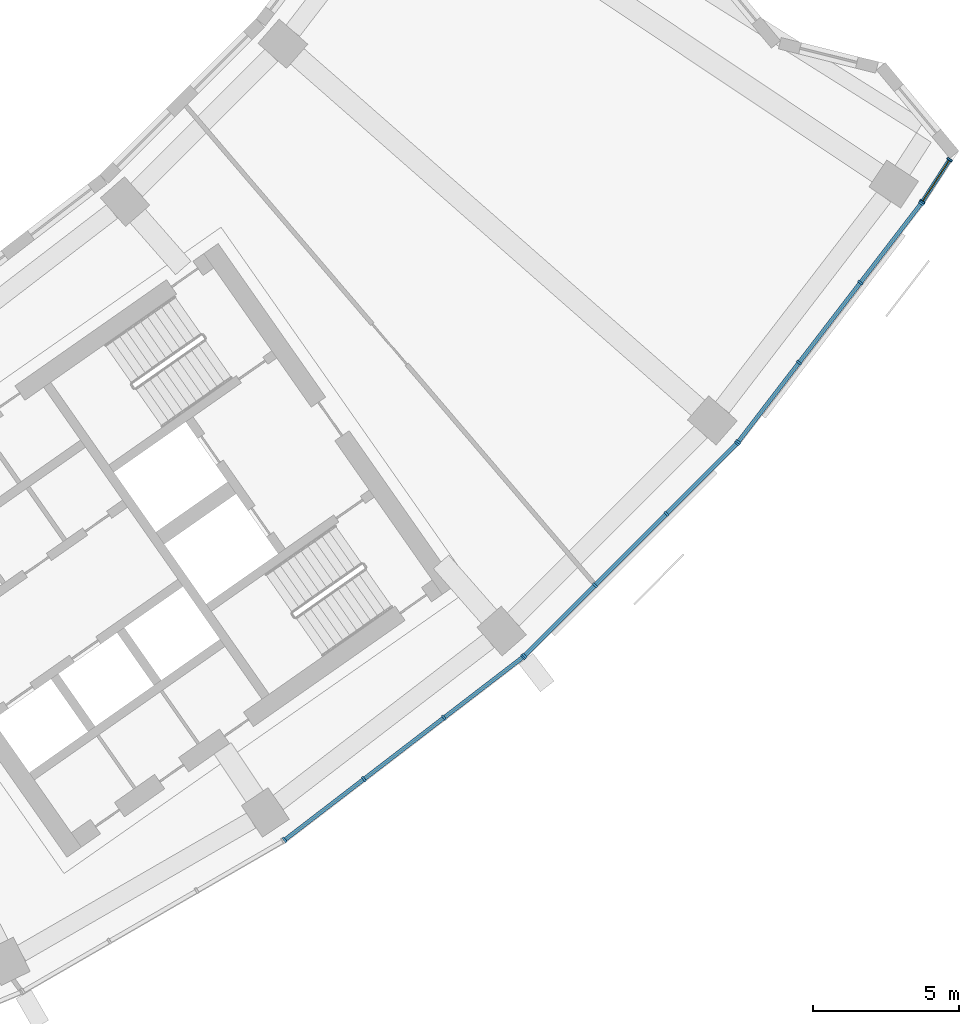
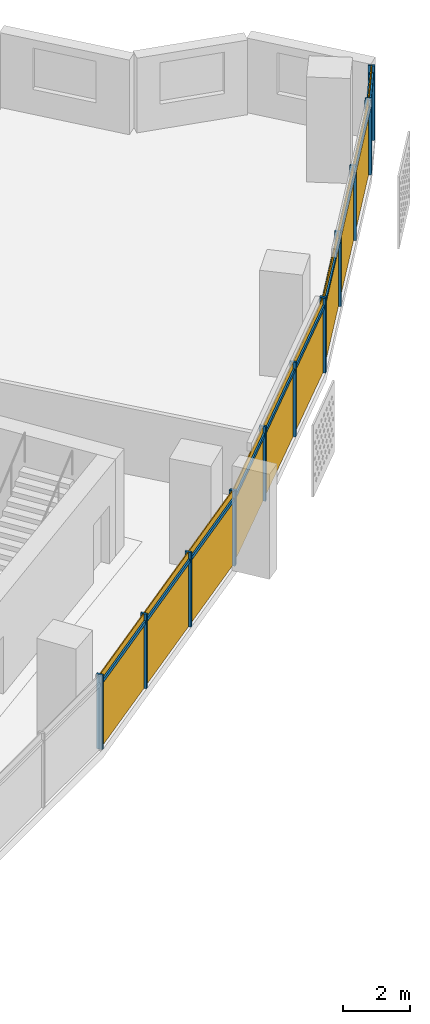
# One storey, part 20 of 26: 24 members, 4 curtain walls.
"""IFC4 building model written with IfcOpenShell, lengths in metres."""

from ifc_helpers import new_model, si_unit, direction, frame, origin, origin_2d, place, context, subcontext, project, spatial, rectangle, extrude, material, material_profile, profile_set, type_object, element, aggregate, save


model = new_model("IFC4")

# Units and contexts
model_context = context("Model", 3, precision=1e-05, world=origin(), true_north=direction((0.0, 1.0)))
body_context = subcontext(model_context, "Body", "Model", "MODEL_VIEW")
ifc_project = project(units=[si_unit("LENGTHUNIT", "METRE"), si_unit("AREAUNIT", "SQUARE_METRE"), si_unit("VOLUMEUNIT", "CUBIC_METRE"), si_unit("PLANEANGLEUNIT", "RADIAN"), si_unit("MASSUNIT", "GRAM", prefix="KILO")], contexts=[model_context])

# Member
ifc_material = material(Name="Aluminium 6063-T6 anodised", Category="aluminium")
ifc_material_profile_1 = material_profile(ifc_material, rectangle(XDim=0.199951171875, YDim=0.070068359375, at=origin_2d()))
ifc_profile_set_1 = profile_set([ifc_material_profile_1], Name="Aluminium 6063-T6 anodised")
member_type_1 = type_object("IfcMemberType", Name="Mullion 70 x 200 aluminium", PredefinedType="MULLION", material=ifc_profile_set_1)
site_placement = place(None, origin())
building_placement = place(site_placement, origin())
storey_placement = place(building_placement, frame((0.0, 0.0, 160.699951171875)))
member_1_placement = place(storey_placement, frame((43.85693359375, -65.58544921875, 0.0), z_axis=(0.0, 0.0, 1.0), x_axis=(-0.608761429009, 0.793353340291, 0.0)))
member_1 = element("IfcMember", 1, at=member_1_placement, type_object=member_type_1, Name="e-cw1-L37-out12/M00", PredefinedType="MULLION", context=body_context, shape_type="SweptSolid", body=[
    extrude(rectangle(XDim=0.199951171875, YDim=0.070068359375, at=origin_2d()), origin(), (0.0, 0.0, 1.0), 2.699951171875),
])

member_2_placement = place(storey_placement, frame((46.56201171875, -63.509765625, 0.0), z_axis=(0.0, 0.0, 1.0), x_axis=(-0.608761429009, 0.793353340291, 0.0)))
member_2 = element("IfcMember", 2, at=member_2_placement, type_object=member_type_1, Name="e-cw1-L37-out12/M01", PredefinedType="MULLION", context=body_context, shape_type="SweptSolid", body=[
    extrude(rectangle(XDim=0.199951171875, YDim=0.070068359375, at=origin_2d()), origin(), (0.0, 0.0, 1.0), 2.699951171875),
])

member_3_placement = place(storey_placement, frame((49.294677734375, -61.412841796875, 0.0), z_axis=(0.0, 0.0, 1.0), x_axis=(-0.608761429009, 0.793353340291, 0.0)))
member_3 = element("IfcMember", 3, at=member_3_placement, type_object=member_type_1, Name="e-cw1-L37-out12/M02", PredefinedType="MULLION", context=body_context, shape_type="SweptSolid", body=[
    extrude(rectangle(XDim=0.199951171875, YDim=0.070068359375, at=origin_2d()), origin(), (0.0, 0.0, 1.0), 2.699951171875),
])

member_4_placement = place(storey_placement, frame((51.999755859375, -59.33740234375, 0.0), z_axis=(0.0, 0.0, 1.0), x_axis=(-0.608761429009, 0.793353340291, 0.0)))
member_4 = element("IfcMember", 4, at=member_4_placement, type_object=member_type_1, Name="e-cw1-L37-out12/M03", PredefinedType="MULLION", context=body_context, shape_type="SweptSolid", body=[
    extrude(rectangle(XDim=0.199951171875, YDim=0.070068359375, at=origin_2d()), origin(), (0.0, 0.0, 1.0), 2.699951171875),
])

member_5_placement = place(storey_placement, frame((52.042236328125, -59.2998046875, 0.0), z_axis=(0.0, 0.0, 1.0), x_axis=(-0.707106781187, 0.707106781187, 0.0)))
member_5 = element("IfcMember", 5, at=member_5_placement, type_object=member_type_1, Name="e-cw1-L37-out13/M00", PredefinedType="MULLION", context=body_context, shape_type="SweptSolid", body=[
    extrude(rectangle(XDim=0.199951171875, YDim=0.070068359375, at=origin_2d()), origin(), (0.0, 0.0, 1.0), 2.699951171875),
])

member_6_placement = place(storey_placement, frame((54.453369140625, -56.888916015625, 0.0), z_axis=(0.0, 0.0, 1.0), x_axis=(-0.707106781187, 0.707106781187, 0.0)))
member_6 = element("IfcMember", 6, at=member_6_placement, type_object=member_type_1, Name="e-cw1-L37-out13/M01", PredefinedType="MULLION", context=body_context, shape_type="SweptSolid", body=[
    extrude(rectangle(XDim=0.199951171875, YDim=0.070068359375, at=origin_2d()), origin(), (0.0, 0.0, 1.0), 2.699951171875),
])

member_7_placement = place(storey_placement, frame((56.888916015625, -54.453369140625, 0.0), z_axis=(0.0, 0.0, 1.0), x_axis=(-0.707106781187, 0.707106781187, 0.0)))
member_7 = element("IfcMember", 7, at=member_7_placement, type_object=member_type_1, Name="e-cw1-L37-out13/M02", PredefinedType="MULLION", context=body_context, shape_type="SweptSolid", body=[
    extrude(rectangle(XDim=0.199951171875, YDim=0.070068359375, at=origin_2d()), origin(), (0.0, 0.0, 1.0), 2.699951171875),
])

member_8_placement = place(storey_placement, frame((59.2998046875, -52.042236328125, 0.0), z_axis=(0.0, 0.0, 1.0), x_axis=(-0.707106781187, 0.707106781187, 0.0)))
member_8 = element("IfcMember", 8, at=member_8_placement, type_object=member_type_1, Name="e-cw1-L37-out13/M03", PredefinedType="MULLION", context=body_context, shape_type="SweptSolid", body=[
    extrude(rectangle(XDim=0.199951171875, YDim=0.070068359375, at=origin_2d()), origin(), (0.0, 0.0, 1.0), 2.699951171875),
])

member_9_placement = place(storey_placement, frame((59.33740234375, -51.999755859375, 0.0), z_axis=(0.0, 0.0, 1.0), x_axis=(-0.793353340291, 0.608761429009, 0.0)))
member_9 = element("IfcMember", 9, at=member_9_placement, type_object=member_type_1, Name="e-cw1-L37-out14/M00", PredefinedType="MULLION", context=body_context, shape_type="SweptSolid", body=[
    extrude(rectangle(XDim=0.199951171875, YDim=0.070068359375, at=origin_2d()), origin(), (0.0, 0.0, 1.0), 2.699951171875),
])

member_10_placement = place(storey_placement, frame((61.412841796875, -49.294677734375, 0.0), z_axis=(0.0, 0.0, 1.0), x_axis=(-0.793353340291, 0.608761429009, 0.0)))
member_10 = element("IfcMember", 10, at=member_10_placement, type_object=member_type_1, Name="e-cw1-L37-out14/M01", PredefinedType="MULLION", context=body_context, shape_type="SweptSolid", body=[
    extrude(rectangle(XDim=0.199951171875, YDim=0.070068359375, at=origin_2d()), origin(), (0.0, 0.0, 1.0), 2.699951171875),
])

member_11_placement = place(storey_placement, frame((63.509765625, -46.56201171875, 0.0), z_axis=(0.0, 0.0, 1.0), x_axis=(-0.793353340291, 0.608761429009, 0.0)))
member_11 = element("IfcMember", 11, at=member_11_placement, type_object=member_type_1, Name="e-cw1-L37-out14/M02", PredefinedType="MULLION", context=body_context, shape_type="SweptSolid", body=[
    extrude(rectangle(XDim=0.199951171875, YDim=0.070068359375, at=origin_2d()), origin(), (0.0, 0.0, 1.0), 2.699951171875),
])

member_12_placement = place(storey_placement, frame((65.58544921875, -43.85693359375, 0.0), z_axis=(0.0, 0.0, 1.0), x_axis=(-0.793353340291, 0.608761429009, 0.0)))
member_12 = element("IfcMember", 12, at=member_12_placement, type_object=member_type_1, Name="e-cw1-L37-out14/M03", PredefinedType="MULLION", context=body_context, shape_type="SweptSolid", body=[
    extrude(rectangle(XDim=0.199951171875, YDim=0.070068359375, at=origin_2d()), origin(), (0.0, 0.0, 1.0), 2.699951171875),
])

member_13_placement = place(storey_placement, frame((65.621337890625, -43.806396484375, 0.0), z_axis=(0.0, 0.0, 1.0), x_axis=(-0.839046620581, 0.544059526607, 0.0)))
member_13 = element("IfcMember", 13, at=member_13_placement, type_object=member_type_1, Name="e-cw1-L37-out15/M00", PredefinedType="MULLION", context=body_context, shape_type="SweptSolid", body=[
    extrude(rectangle(XDim=0.199951171875, YDim=0.070068359375, at=origin_2d()), origin(), (0.0, 0.0, 1.0), 2.699951171875),
])

member_14_placement = place(storey_placement, frame((66.558349609375, -42.361083984375, 0.0), z_axis=(0.0, 0.0, 1.0), x_axis=(-0.839046620581, 0.544059526607, 0.0)))
member_14 = element("IfcMember", 14, at=member_14_placement, type_object=member_type_1, Name="e-cw1-L37-out15/M01", PredefinedType="MULLION", context=body_context, shape_type="SweptSolid", body=[
    extrude(rectangle(XDim=0.199951171875, YDim=0.070068359375, at=origin_2d()), origin(), (0.0, 0.0, 1.0), 2.699951171875),
])

ifc_material_profile_2 = material_profile(ifc_material, rectangle(XDim=0.139892578125, YDim=0.1201171875, at=origin_2d()))
ifc_profile_set_2 = profile_set([ifc_material_profile_2], Name="Aluminium 6063-T6 anodised")
member_type_2 = type_object("IfcMemberType", Name="Transom 120 x 140 aluminium", PredefinedType="USERDEFINED", material=ifc_profile_set_2)
member_15_placement = place(storey_placement, frame((43.884765625, -65.564208984375, 2.400146484375), z_axis=(0.793354486861, 0.608759934767, 0.0), x_axis=(-0.608759934767, 0.793354486861, 0.0)))
member_15 = element("IfcMember", 15, at=member_15_placement, type_object=member_type_2, Name="e-cw1-L37-out12/T00", ObjectType="TRANSOM", PredefinedType="USERDEFINED", context=body_context, shape_type="SweptSolid", body=[
    extrude(rectangle(XDim=0.139892578125, YDim=0.1201171875, at=origin_2d()), origin(), (0.0, 0.0, 1.0), 3.339599609375),
])

member_16_placement = place(storey_placement, frame((46.589599609375, -63.488525390625, 2.400146484375), z_axis=(0.793371081522, 0.608738307489, 0.0), x_axis=(-0.608738307489, 0.793371081522, 0.0)))
member_16 = element("IfcMember", 16, at=member_16_placement, type_object=member_type_2, Name="e-cw1-L37-out12/T01", ObjectType="TRANSOM", PredefinedType="USERDEFINED", context=body_context, shape_type="SweptSolid", body=[
    extrude(rectangle(XDim=0.139892578125, YDim=0.1201171875, at=origin_2d()), origin(), (0.0, 0.0, 1.0), 3.37451171875),
])

member_17_placement = place(storey_placement, frame((49.322509765625, -61.3916015625, 2.400146484375), z_axis=(0.793354486861, 0.608759934767, 0.0), x_axis=(-0.608759934767, 0.793354486861, 0.0)))
member_17 = element("IfcMember", 17, at=member_17_placement, type_object=member_type_2, Name="e-cw1-L37-out12/T02", ObjectType="TRANSOM", PredefinedType="USERDEFINED", context=body_context, shape_type="SweptSolid", body=[
    extrude(rectangle(XDim=0.139892578125, YDim=0.1201171875, at=origin_2d()), origin(), (0.0, 0.0, 1.0), 3.339599609375),
])

member_18_placement = place(storey_placement, frame((52.067138671875, -59.275146484375, 2.400146484375), z_axis=(0.707106781187, 0.707106781187, 0.0), x_axis=(-0.707106781187, 0.707106781187, 0.0)))
member_18 = element("IfcMember", 18, at=member_18_placement, type_object=member_type_2, Name="e-cw1-L37-out13/T00", ObjectType="TRANSOM", PredefinedType="USERDEFINED", context=body_context, shape_type="SweptSolid", body=[
    extrude(rectangle(XDim=0.139892578125, YDim=0.1201171875, at=origin_2d()), origin(), (0.0, 0.0, 1.0), 3.33935546875),
])

member_19_placement = place(storey_placement, frame((54.47802734375, -56.8642578125, 2.400146484375), z_axis=(0.707106781187, 0.707106781187, 0.0), x_axis=(-0.707106781187, 0.707106781187, 0.0)))
member_19 = element("IfcMember", 19, at=member_19_placement, type_object=member_type_2, Name="e-cw1-L37-out13/T01", ObjectType="TRANSOM", PredefinedType="USERDEFINED", context=body_context, shape_type="SweptSolid", body=[
    extrude(rectangle(XDim=0.139892578125, YDim=0.1201171875, at=origin_2d()), origin(), (0.0, 0.0, 1.0), 3.374755859375),
])

member_20_placement = place(storey_placement, frame((56.913818359375, -54.428466796875, 2.400146484375), z_axis=(0.707106781187, 0.707106781187, 0.0), x_axis=(-0.707106781187, 0.707106781187, 0.0)))
member_20 = element("IfcMember", 20, at=member_20_placement, type_object=member_type_2, Name="e-cw1-L37-out13/T02", ObjectType="TRANSOM", PredefinedType="USERDEFINED", context=body_context, shape_type="SweptSolid", body=[
    extrude(rectangle(XDim=0.139892578125, YDim=0.1201171875, at=origin_2d()), origin(), (0.0, 0.0, 1.0), 3.33935546875),
])

member_21_placement = place(storey_placement, frame((59.358642578125, -51.971923828125, 2.400146484375), z_axis=(0.608759934767, 0.793354486861, 0.0), x_axis=(-0.793354486861, 0.608759934767, 0.0)))
member_21 = element("IfcMember", 21, at=member_21_placement, type_object=member_type_2, Name="e-cw1-L37-out14/T00", ObjectType="TRANSOM", PredefinedType="USERDEFINED", context=body_context, shape_type="SweptSolid", body=[
    extrude(rectangle(XDim=0.139892578125, YDim=0.1201171875, at=origin_2d()), origin(), (0.0, 0.0, 1.0), 3.339599609375),
])

member_22_placement = place(storey_placement, frame((61.434326171875, -49.266845703125, 2.400146484375), z_axis=(0.608738307489, 0.793371081522, 0.0), x_axis=(-0.793371081522, 0.608738307489, 0.0)))
member_22 = element("IfcMember", 22, at=member_22_placement, type_object=member_type_2, Name="e-cw1-L37-out14/T01", ObjectType="TRANSOM", PredefinedType="USERDEFINED", context=body_context, shape_type="SweptSolid", body=[
    extrude(rectangle(XDim=0.139892578125, YDim=0.1201171875, at=origin_2d()), origin(), (0.0, 0.0, 1.0), 3.37451171875),
])

member_23_placement = place(storey_placement, frame((63.53125, -46.5341796875, 2.400146484375), z_axis=(0.608759934767, 0.793354486861, 0.0), x_axis=(-0.793354486861, 0.608759934767, 0.0)))
member_23 = element("IfcMember", 23, at=member_23_placement, type_object=member_type_2, Name="e-cw1-L37-out14/T02", ObjectType="TRANSOM", PredefinedType="USERDEFINED", context=body_context, shape_type="SweptSolid", body=[
    extrude(rectangle(XDim=0.139892578125, YDim=0.1201171875, at=origin_2d()), origin(), (0.0, 0.0, 1.0), 3.339599609375),
])

member_24_placement = place(storey_placement, frame((65.640380859375, -43.77685546875, 2.400146484375), z_axis=(0.544084281786, 0.839030568164, 0.0), x_axis=(-0.839030568164, 0.544084281786, 0.0)))
member_24 = element("IfcMember", 24, at=member_24_placement, type_object=member_type_2, Name="e-cw1-L37-out15/T00", ObjectType="TRANSOM", PredefinedType="USERDEFINED", context=body_context, shape_type="SweptSolid", body=[
    extrude(rectangle(XDim=0.139892578125, YDim=0.1201171875, at=origin_2d()), origin(), (0.0, 0.0, 1.0), 1.652099609375),
])

# Site, building, storey
site = spatial("IfcSite", under=ifc_project, at=site_placement, CompositionType="ELEMENT")
building = spatial("IfcBuilding", under=site, at=building_placement, Name="Qamariyya Broadcast Tower", CompositionType="ELEMENT")
storey = spatial("IfcBuildingStorey", under=building, at=storey_placement, Name="L37", CompositionType="ELEMENT", Elevation=160.699951171875)

# Curtain wall
curtain_wall_type = type_object("IfcCurtainWallType", Name="Unitised curtain wall, anodised aluminium", PredefinedType="NOTDEFINED", material=ifc_material)
curtain_wall_1_placement = place(storey_placement, origin())
curtain_wall_1 = element("IfcCurtainWall", 25, at=curtain_wall_1_placement, inside=storey, type_object=curtain_wall_type, Name="e-cw1-L37-out12", PredefinedType="NOTDEFINED", context=body_context, shape_type="SweptSolid", body=[
    extrude(rectangle(XDim=3.339599609375, YDim=0.031982421875, at=origin_2d()), frame((45.20947265625, -64.547607421875, 0.0), x_axis=(0.793351517557, 0.608763804434, 0.0)), (0.0, 0.0, 1.0), 2.340087890625),
    extrude(rectangle(XDim=3.339599609375, YDim=0.031982421875, at=origin_2d()), frame((45.20947265625, -64.547607421875, 2.4599609375), x_axis=(0.793351517557, 0.608763804434, 0.0)), (0.0, 0.0, 1.0), 0.239990234375),
    extrude(rectangle(XDim=3.37451171875, YDim=0.031982421875, at=origin_2d()), frame((47.92822265625, -62.46142578125, 0.0), x_axis=(0.793351517557, 0.608763804434, 0.0)), (0.0, 0.0, 1.0), 2.340087890625),
    extrude(rectangle(XDim=3.37451171875, YDim=0.031982421875, at=origin_2d()), frame((47.92822265625, -62.46142578125, 2.4599609375), x_axis=(0.793351517557, 0.608763804434, 0.0)), (0.0, 0.0, 1.0), 0.239990234375),
    extrude(rectangle(XDim=3.339599609375, YDim=0.031982421875, at=origin_2d()), frame((50.64697265625, -60.375, 0.0), x_axis=(0.793351517557, 0.608763804434, 0.0)), (0.0, 0.0, 1.0), 2.340087890625),
    extrude(rectangle(XDim=3.339599609375, YDim=0.031982421875, at=origin_2d()), frame((50.64697265625, -60.375, 2.4599609375), x_axis=(0.793351517557, 0.608763804434, 0.0)), (0.0, 0.0, 1.0), 0.239990234375),
])

aggregate(curtain_wall_1, [member_1, member_2, member_3, member_4, member_15, member_16, member_17])

curtain_wall_2_placement = place(storey_placement, origin())
curtain_wall_2 = element("IfcCurtainWall", 26, at=curtain_wall_2_placement, inside=storey, type_object=curtain_wall_type, Name="e-cw1-L37-out13", PredefinedType="NOTDEFINED", context=body_context, shape_type="SweptSolid", body=[
    extrude(rectangle(XDim=3.339599609375, YDim=0.031982421875, at=origin_2d()), frame((53.247802734375, -58.094482421875, 0.0), x_axis=(0.707106781187, 0.707106781187, 0.0)), (0.0, 0.0, 1.0), 2.340087890625),
    extrude(rectangle(XDim=3.339599609375, YDim=0.031982421875, at=origin_2d()), frame((53.247802734375, -58.094482421875, 2.4599609375), x_axis=(0.707106781187, 0.707106781187, 0.0)), (0.0, 0.0, 1.0), 0.239990234375),
    extrude(rectangle(XDim=3.37451171875, YDim=0.031982421875, at=origin_2d()), frame((55.671142578125, -55.671142578125, 0.0), x_axis=(0.707106781187, 0.707106781187, 0.0)), (0.0, 0.0, 1.0), 2.340087890625),
    extrude(rectangle(XDim=3.37451171875, YDim=0.031982421875, at=origin_2d()), frame((55.671142578125, -55.671142578125, 2.4599609375), x_axis=(0.707106781187, 0.707106781187, 0.0)), (0.0, 0.0, 1.0), 0.239990234375),
    extrude(rectangle(XDim=3.339599609375, YDim=0.031982421875, at=origin_2d()), frame((58.094482421875, -53.247802734375, 0.0), x_axis=(0.707106781187, 0.707106781187, 0.0)), (0.0, 0.0, 1.0), 2.340087890625),
    extrude(rectangle(XDim=3.339599609375, YDim=0.031982421875, at=origin_2d()), frame((58.094482421875, -53.247802734375, 2.4599609375), x_axis=(0.707106781187, 0.707106781187, 0.0)), (0.0, 0.0, 1.0), 0.239990234375),
])

aggregate(curtain_wall_2, [member_5, member_6, member_7, member_8, member_18, member_19, member_20])

curtain_wall_3_placement = place(storey_placement, origin())
curtain_wall_3 = element("IfcCurtainWall", 27, at=curtain_wall_3_placement, inside=storey, type_object=curtain_wall_type, Name="e-cw1-L37-out14", PredefinedType="NOTDEFINED", context=body_context, shape_type="SweptSolid", body=[
    extrude(rectangle(XDim=3.339599609375, YDim=0.031982421875, at=origin_2d()), frame((60.375, -50.64697265625, 0.0), x_axis=(0.608763804434, 0.793351517557, 0.0)), (0.0, 0.0, 1.0), 2.340087890625),
    extrude(rectangle(XDim=3.339599609375, YDim=0.031982421875, at=origin_2d()), frame((60.375, -50.64697265625, 2.4599609375), x_axis=(0.608763804434, 0.793351517557, 0.0)), (0.0, 0.0, 1.0), 0.239990234375),
    extrude(rectangle(XDim=3.37451171875, YDim=0.031982421875, at=origin_2d()), frame((62.46142578125, -47.92822265625, 0.0), x_axis=(0.608763804434, 0.793351517557, 0.0)), (0.0, 0.0, 1.0), 2.340087890625),
    extrude(rectangle(XDim=3.37451171875, YDim=0.031982421875, at=origin_2d()), frame((62.46142578125, -47.92822265625, 2.4599609375), x_axis=(0.608763804434, 0.793351517557, 0.0)), (0.0, 0.0, 1.0), 0.239990234375),
    extrude(rectangle(XDim=3.339599609375, YDim=0.031982421875, at=origin_2d()), frame((64.547607421875, -45.20947265625, 0.0), x_axis=(0.608763804434, 0.793351517557, 0.0)), (0.0, 0.0, 1.0), 2.340087890625),
    extrude(rectangle(XDim=3.339599609375, YDim=0.031982421875, at=origin_2d()), frame((64.547607421875, -45.20947265625, 2.4599609375), x_axis=(0.608763804434, 0.793351517557, 0.0)), (0.0, 0.0, 1.0), 0.239990234375),
])

aggregate(curtain_wall_3, [member_9, member_10, member_11, member_12, member_21, member_22, member_23])

curtain_wall_4_placement = place(storey_placement, origin())
curtain_wall_4 = element("IfcCurtainWall", 28, at=curtain_wall_4_placement, inside=storey, type_object=curtain_wall_type, Name="e-cw1-L37-out15", PredefinedType="NOTDEFINED", context=body_context, shape_type="SweptSolid", body=[
    extrude(rectangle(XDim=1.65234375, YDim=0.031982421875, at=origin_2d()), frame((66.08984375, -43.083740234375, 0.0), x_axis=(0.544030442081, 0.839065479024, 0.0)), (0.0, 0.0, 1.0), 2.340087890625),
    extrude(rectangle(XDim=1.65234375, YDim=0.031982421875, at=origin_2d()), frame((66.08984375, -43.083740234375, 2.4599609375), x_axis=(0.544030442081, 0.839065479024, 0.0)), (0.0, 0.0, 1.0), 0.239990234375),
])

aggregate(curtain_wall_4, [member_13, member_14, member_24])

save(model, "model.ifc")
